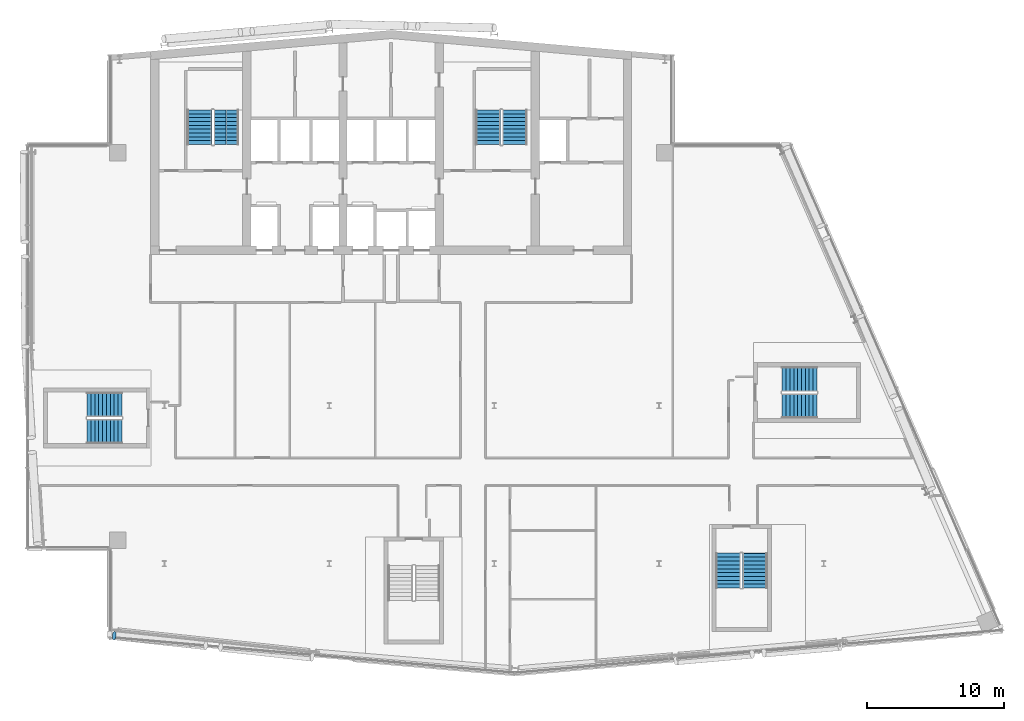
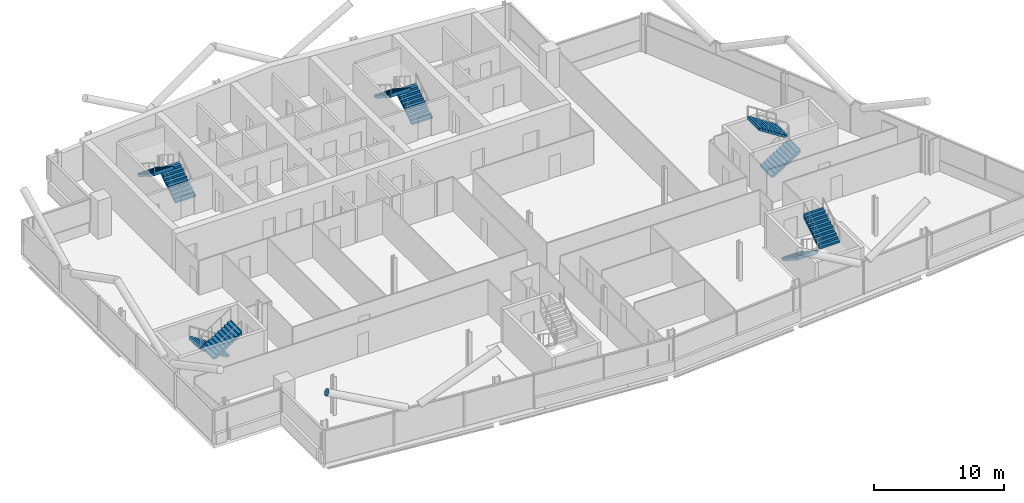
# One storey, part 19 of 26: 10 stair flights, 1 discrete accessory, 5 elements without a shape of their own.
"""IFC4 building model written with IfcOpenShell, lengths in metres."""

from ifc_helpers import new_model, si_unit, direction, frame, origin, origin_2d, place, context, subcontext, project, spatial, polyline, circle, outline, extrude, material, material_profile, profile_set, type_object, element, aggregate, save


model = new_model("IFC4")

# Units and contexts
model_context = context("Model", 3, precision=1e-05, world=origin(), true_north=direction((0.0, 1.0)))
body_context = subcontext(model_context, "Body", "Model", "MODEL_VIEW")
ifc_project = project(units=[si_unit("LENGTHUNIT", "METRE"), si_unit("AREAUNIT", "SQUARE_METRE"), si_unit("VOLUMEUNIT", "CUBIC_METRE"), si_unit("PLANEANGLEUNIT", "RADIAN"), si_unit("MASSUNIT", "GRAM", prefix="KILO")], contexts=[model_context])

# Site, building, storey
site_placement = place(None, origin())
site = spatial("IfcSite", under=ifc_project, at=site_placement, CompositionType="ELEMENT")
building_placement = place(site_placement, origin())
building = spatial("IfcBuilding", under=site, at=building_placement, Name="Wharfspan Tower", CompositionType="ELEMENT")
storey_placement = place(building_placement, frame((0.0, 0.0, 214.300049)))
storey = spatial("IfcBuildingStorey", under=building, at=storey_placement, Name="L53", CompositionType="ELEMENT", Elevation=214.300049)

# Stair, stair flights
ifc_material_1 = material(Name="Concrete C40/50", Category="concrete")
stair_type = type_object("IfcStairType", Name="Half-turn stair 20 risers 180 mm", PredefinedType="HALF_TURN_STAIR", material=ifc_material_1)
stair_1_placement = place(storey_placement, origin())
stair_1 = element("IfcStair", 1, at=stair_1_placement, inside=storey, type_object=stair_type, Name="L53 stair ST1", PredefinedType="HALF_TURN_STAIR")
stair_flight_type = type_object("IfcStairFlightType", Name="Stair flight 20 risers 180 mm", PredefinedType="STRAIGHT", material=ifc_material_1)
stair_flight_1_placement = place(storey_placement, frame((28.5, 42.0, 0.0), z_axis=(0.0, 0.0, 1.0), x_axis=(0.0, 1.0, 0.0)))
stair_flight_1 = element("IfcStairFlight", 2, at=stair_flight_1_placement, type_object=stair_flight_type, Name="ST1 flight 1", NumberOfRisers=10, NumberOfTreads=9, PredefinedType="STRAIGHT", RiserHeight=0.18, TreadLength=0.28, context=body_context, shape_type="SweptSolid", body=[
    extrude(outline(polyline([(-0.011963, 0.0), (-0.011963, 0.179932), (0.0, 0.179932), (0.280029, 0.179932), (0.280029, 0.360107), (0.560059, 0.360107), (0.560059, 0.540039), (0.840088, 0.540039), (0.840088, 0.719971), (1.120117, 0.719971), (1.120117, 0.899902), (1.399902, 0.899902), (1.399902, 1.080078), (1.679932, 1.080078), (1.679932, 1.26001), (1.959961, 1.26001), (1.959961, 1.439941), (2.23999, 1.439941), (2.23999, 1.620117), (2.52002, 1.620117), (2.531982, 1.800049), (2.531982, 1.441895), (0.2771, 0.0), (-0.011963, 0.0)])), frame((0.0, 0.899902, 0.0), z_axis=(0.0, -1.0, 0.0), x_axis=(1.0, 0.0, 0.0)), (0.0, 0.0, 1.0), 0.899414),
    extrude(outline(polyline([(-0.011963, 0.0), (-0.011963, 0.179932), (0.0, 0.179932), (0.280029, 0.179932), (0.280029, 0.360107), (0.560059, 0.360107), (0.560059, 0.540039), (0.840088, 0.540039), (0.840088, 0.719971), (1.120117, 0.719971), (1.120117, 0.899902), (1.399902, 0.899902), (1.399902, 1.080078), (1.679932, 1.080078), (1.679932, 1.26001), (1.959961, 1.26001), (1.959961, 1.439941), (2.23999, 1.439941), (2.23999, 1.620117), (2.52002, 1.620117), (2.531982, 1.800049), (2.531982, 1.441895), (0.2771, 0.0), (-0.011963, 0.0)])), frame((0.0, -0.000488, 0.0), z_axis=(0.0, -1.0, 0.0), x_axis=(1.0, 0.0, 0.0)), (0.0, 0.0, 1.0), 0.899414),
])
stair_flight_2_placement = place(storey_placement, frame((26.550049, 44.52002, 1.800049), z_axis=(0.0, 0.0, 1.0), x_axis=(0.0, -1.0, 0.0)))
stair_flight_2 = element("IfcStairFlight", 3, at=stair_flight_2_placement, type_object=stair_flight_type, Name="ST1 flight 2", NumberOfRisers=10, NumberOfTreads=9, PredefinedType="STRAIGHT", RiserHeight=0.18, TreadLength=0.28, context=body_context, shape_type="SweptSolid", body=[
    extrude(outline(polyline([(-0.011963, 0.0), (-0.011963, 0.179932), (0.0, 0.179932), (0.280029, 0.179932), (0.280029, 0.360107), (0.560059, 0.360107), (0.560059, 0.540039), (0.840088, 0.540039), (0.840088, 0.719971), (1.120117, 0.719971), (1.120117, 0.899902), (1.399902, 0.899902), (1.399902, 1.080078), (1.679932, 1.080078), (1.679932, 1.26001), (1.959961, 1.26001), (1.959961, 1.439941), (2.23999, 1.439941), (2.23999, 1.620117), (2.52002, 1.620117), (2.531982, 1.800049), (2.531982, 1.441895), (0.2771, 0.0), (-0.011963, 0.0)])), frame((0.0, 0.899902, 0.0), z_axis=(0.0, -1.0, 0.0), x_axis=(1.0, 0.0, 0.0)), (0.0, 0.0, 1.0), 0.899414),
    extrude(outline(polyline([(-0.011963, 0.0), (-0.011963, 0.179932), (0.0, 0.179932), (0.280029, 0.179932), (0.280029, 0.360107), (0.560059, 0.360107), (0.560059, 0.540039), (0.840088, 0.540039), (0.840088, 0.719971), (1.120117, 0.719971), (1.120117, 0.899902), (1.399902, 0.899902), (1.399902, 1.080078), (1.679932, 1.080078), (1.679932, 1.26001), (1.959961, 1.26001), (1.959961, 1.439941), (2.23999, 1.439941), (2.23999, 1.620117), (2.52002, 1.620117), (2.531982, 1.800049), (2.531982, 1.441895), (0.2771, 0.0), (-0.011963, 0.0)])), frame((0.0, -0.000488, 0.0), z_axis=(0.0, -1.0, 0.0), x_axis=(1.0, 0.0, 0.0)), (0.0, 0.0, 1.0), 0.899414),
])
aggregate(stair_1, [stair_flight_1, stair_flight_2])

stair_2_placement = place(storey_placement, origin())
stair_2 = element("IfcStair", 4, at=stair_2_placement, inside=storey, type_object=stair_type, Name="L53 stair ST2", PredefinedType="HALF_TURN_STAIR")
stair_flight_3_placement = place(storey_placement, frame((49.5, 42.0, 0.0), z_axis=(0.0, 0.0, 1.0), x_axis=(0.0, 1.0, 0.0)))
stair_flight_3 = element("IfcStairFlight", 5, at=stair_flight_3_placement, type_object=stair_flight_type, Name="ST2 flight 1", NumberOfRisers=10, NumberOfTreads=9, PredefinedType="STRAIGHT", RiserHeight=0.18, TreadLength=0.28, context=body_context, shape_type="SweptSolid", body=[
    extrude(outline(polyline([(-0.011963, 0.0), (-0.011963, 0.179932), (0.0, 0.179932), (0.280029, 0.179932), (0.280029, 0.360107), (0.560059, 0.360107), (0.560059, 0.540039), (0.840088, 0.540039), (0.840088, 0.719971), (1.120117, 0.719971), (1.120117, 0.899902), (1.399902, 0.899902), (1.399902, 1.080078), (1.679932, 1.080078), (1.679932, 1.26001), (1.959961, 1.26001), (1.959961, 1.439941), (2.23999, 1.439941), (2.23999, 1.620117), (2.52002, 1.620117), (2.531982, 1.800049), (2.531982, 1.441895), (0.2771, 0.0), (-0.011963, 0.0)])), frame((0.0, 0.899902, 0.0), z_axis=(0.0, -1.0, 0.0), x_axis=(1.0, 0.0, 0.0)), (0.0, 0.0, 1.0), 0.899414),
    extrude(outline(polyline([(-0.011963, 0.0), (-0.011963, 0.179932), (0.0, 0.179932), (0.280029, 0.179932), (0.280029, 0.360107), (0.560059, 0.360107), (0.560059, 0.540039), (0.840088, 0.540039), (0.840088, 0.719971), (1.120117, 0.719971), (1.120117, 0.899902), (1.399902, 0.899902), (1.399902, 1.080078), (1.679932, 1.080078), (1.679932, 1.26001), (1.959961, 1.26001), (1.959961, 1.439941), (2.23999, 1.439941), (2.23999, 1.620117), (2.52002, 1.620117), (2.531982, 1.800049), (2.531982, 1.441895), (0.2771, 0.0), (-0.011963, 0.0)])), frame((0.0, -0.000488, 0.0), z_axis=(0.0, -1.0, 0.0), x_axis=(1.0, 0.0, 0.0)), (0.0, 0.0, 1.0), 0.899414),
])
stair_flight_4_placement = place(storey_placement, frame((47.550049, 44.52002, 1.800049), z_axis=(0.0, 0.0, 1.0), x_axis=(0.0, -1.0, 0.0)))
stair_flight_4 = element("IfcStairFlight", 6, at=stair_flight_4_placement, type_object=stair_flight_type, Name="ST2 flight 2", NumberOfRisers=10, NumberOfTreads=9, PredefinedType="STRAIGHT", RiserHeight=0.18, TreadLength=0.28, context=body_context, shape_type="SweptSolid", body=[
    extrude(outline(polyline([(-0.011963, 0.0), (-0.011963, 0.179932), (0.0, 0.179932), (0.280029, 0.179932), (0.280029, 0.360107), (0.560059, 0.360107), (0.560059, 0.540039), (0.840088, 0.540039), (0.840088, 0.719971), (1.120117, 0.719971), (1.120117, 0.899902), (1.399902, 0.899902), (1.399902, 1.080078), (1.679932, 1.080078), (1.679932, 1.26001), (1.959961, 1.26001), (1.959961, 1.439941), (2.23999, 1.439941), (2.23999, 1.620117), (2.52002, 1.620117), (2.531982, 1.800049), (2.531982, 1.441895), (0.2771, 0.0), (-0.011963, 0.0)])), frame((0.0, 0.899902, 0.0), z_axis=(0.0, -1.0, 0.0), x_axis=(1.0, 0.0, 0.0)), (0.0, 0.0, 1.0), 0.899414),
    extrude(outline(polyline([(-0.011963, 0.0), (-0.011963, 0.179932), (0.0, 0.179932), (0.280029, 0.179932), (0.280029, 0.360107), (0.560059, 0.360107), (0.560059, 0.540039), (0.840088, 0.540039), (0.840088, 0.719971), (1.120117, 0.719971), (1.120117, 0.899902), (1.399902, 0.899902), (1.399902, 1.080078), (1.679932, 1.080078), (1.679932, 1.26001), (1.959961, 1.26001), (1.959961, 1.439941), (2.23999, 1.439941), (2.23999, 1.620117), (2.52002, 1.620117), (2.531982, 1.800049), (2.531982, 1.441895), (0.2771, 0.0), (-0.011963, 0.0)])), frame((0.0, -0.000488, 0.0), z_axis=(0.0, -1.0, 0.0), x_axis=(1.0, 0.0, 0.0)), (0.0, 0.0, 1.0), 0.899414),
])
aggregate(stair_2, [stair_flight_3, stair_flight_4])

stair_3_placement = place(storey_placement, origin())
stair_3 = element("IfcStair", 7, at=stair_3_placement, inside=storey, type_object=stair_type, Name="L53 stair ST3", PredefinedType="HALF_TURN_STAIR")
stair_flight_5_placement = place(storey_placement, frame((20.899902, 23.074951, 0.0), z_axis=(0.0, 0.0, 1.0), x_axis=(-1.0, 0.0, 0.0)))
stair_flight_5 = element("IfcStairFlight", 8, at=stair_flight_5_placement, type_object=stair_flight_type, Name="ST3 flight 1", NumberOfRisers=10, NumberOfTreads=9, PredefinedType="STRAIGHT", RiserHeight=0.18, TreadLength=0.28, context=body_context, shape_type="SweptSolid", body=[
    extrude(outline(polyline([(-0.011963, 0.0), (-0.011963, 0.179932), (0.0, 0.179932), (0.280029, 0.179932), (0.280029, 0.360107), (0.560059, 0.360107), (0.560059, 0.540039), (0.840088, 0.540039), (0.840088, 0.719971), (1.120117, 0.719971), (1.120117, 0.899902), (1.399902, 0.899902), (1.399902, 1.080078), (1.679932, 1.080078), (1.679932, 1.26001), (1.959961, 1.26001), (1.959961, 1.439941), (2.23999, 1.439941), (2.23999, 1.620117), (2.52002, 1.620117), (2.531982, 1.800049), (2.531982, 1.441895), (0.2771, 0.0), (-0.011963, 0.0)])), frame((0.0, 0.899902, 0.0), z_axis=(0.0, -1.0, 0.0), x_axis=(1.0, 0.0, 0.0)), (0.0, 0.0, 1.0), 0.899414),
    extrude(outline(polyline([(-0.011963, 0.0), (-0.011963, 0.179932), (0.0, 0.179932), (0.280029, 0.179932), (0.280029, 0.360107), (0.560059, 0.360107), (0.560059, 0.540039), (0.840088, 0.540039), (0.840088, 0.719971), (1.120117, 0.719971), (1.120117, 0.899902), (1.399902, 0.899902), (1.399902, 1.080078), (1.679932, 1.080078), (1.679932, 1.26001), (1.959961, 1.26001), (1.959961, 1.439941), (2.23999, 1.439941), (2.23999, 1.620117), (2.52002, 1.620117), (2.531982, 1.800049), (2.531982, 1.441895), (0.2771, 0.0), (-0.011963, 0.0)])), frame((0.0, -0.000488, 0.0), z_axis=(0.0, -1.0, 0.0), x_axis=(1.0, 0.0, 0.0)), (0.0, 0.0, 1.0), 0.899414),
])
stair_flight_6_placement = place(storey_placement, frame((18.379883, 21.125, 1.800049), z_axis=(0.0, 0.0, 1.0), x_axis=(1.0, 0.0, 0.0)))
stair_flight_6 = element("IfcStairFlight", 9, at=stair_flight_6_placement, type_object=stair_flight_type, Name="ST3 flight 2", NumberOfRisers=10, NumberOfTreads=9, PredefinedType="STRAIGHT", RiserHeight=0.18, TreadLength=0.28, context=body_context, shape_type="SweptSolid", body=[
    extrude(outline(polyline([(-0.011963, 0.0), (-0.011963, 0.179932), (0.0, 0.179932), (0.280029, 0.179932), (0.280029, 0.360107), (0.560059, 0.360107), (0.560059, 0.540039), (0.840088, 0.540039), (0.840088, 0.719971), (1.120117, 0.719971), (1.120117, 0.899902), (1.399902, 0.899902), (1.399902, 1.080078), (1.679932, 1.080078), (1.679932, 1.26001), (1.959961, 1.26001), (1.959961, 1.439941), (2.23999, 1.439941), (2.23999, 1.620117), (2.52002, 1.620117), (2.531982, 1.800049), (2.531982, 1.441895), (0.2771, 0.0), (-0.011963, 0.0)])), frame((0.0, 0.899902, 0.0), z_axis=(0.0, -1.0, 0.0), x_axis=(1.0, 0.0, 0.0)), (0.0, 0.0, 1.0), 0.899414),
    extrude(outline(polyline([(-0.011963, 0.0), (-0.011963, 0.179932), (0.0, 0.179932), (0.280029, 0.179932), (0.280029, 0.360107), (0.560059, 0.360107), (0.560059, 0.540039), (0.840088, 0.540039), (0.840088, 0.719971), (1.120117, 0.719971), (1.120117, 0.899902), (1.399902, 0.899902), (1.399902, 1.080078), (1.679932, 1.080078), (1.679932, 1.26001), (1.959961, 1.26001), (1.959961, 1.439941), (2.23999, 1.439941), (2.23999, 1.620117), (2.52002, 1.620117), (2.531982, 1.800049), (2.531982, 1.441895), (0.2771, 0.0), (-0.011963, 0.0)])), frame((0.0, -0.000488, 0.0), z_axis=(0.0, -1.0, 0.0), x_axis=(1.0, 0.0, 0.0)), (0.0, 0.0, 1.0), 0.899414),
])
aggregate(stair_3, [stair_flight_5, stair_flight_6])

stair_4_placement = place(storey_placement, origin())
stair_4 = element("IfcStair", 10, at=stair_4_placement, inside=storey, type_object=stair_type, Name="L53 stair ST5", PredefinedType="HALF_TURN_STAIR")
stair_flight_7_placement = place(storey_placement, frame((65.043701, 12.246094, 0.0), z_axis=(0.0, 0.0, 1.0), x_axis=(0.0, -1.0, 0.0)))
stair_flight_7 = element("IfcStairFlight", 11, at=stair_flight_7_placement, type_object=stair_flight_type, Name="ST5 flight 1", NumberOfRisers=10, NumberOfTreads=9, PredefinedType="STRAIGHT", RiserHeight=0.18, TreadLength=0.28, context=body_context, shape_type="SweptSolid", body=[
    extrude(outline(polyline([(-0.011963, 0.0), (-0.011963, 0.179932), (0.0, 0.179932), (0.280029, 0.179932), (0.280029, 0.360107), (0.560059, 0.360107), (0.560059, 0.540039), (0.840088, 0.540039), (0.840088, 0.719971), (1.120117, 0.719971), (1.120117, 0.899902), (1.399902, 0.899902), (1.399902, 1.080078), (1.679932, 1.080078), (1.679932, 1.26001), (1.959961, 1.26001), (1.959961, 1.439941), (2.23999, 1.439941), (2.23999, 1.620117), (2.52002, 1.620117), (2.531982, 1.800049), (2.531982, 1.441895), (0.2771, 0.0), (-0.011963, 0.0)])), frame((0.0, 0.899902, 0.0), z_axis=(0.0, -1.0, 0.0), x_axis=(1.0, 0.0, 0.0)), (0.0, 0.0, 1.0), 0.899414),
    extrude(outline(polyline([(-0.011963, 0.0), (-0.011963, 0.179932), (0.0, 0.179932), (0.280029, 0.179932), (0.280029, 0.360107), (0.560059, 0.360107), (0.560059, 0.540039), (0.840088, 0.540039), (0.840088, 0.719971), (1.120117, 0.719971), (1.120117, 0.899902), (1.399902, 0.899902), (1.399902, 1.080078), (1.679932, 1.080078), (1.679932, 1.26001), (1.959961, 1.26001), (1.959961, 1.439941), (2.23999, 1.439941), (2.23999, 1.620117), (2.52002, 1.620117), (2.531982, 1.800049), (2.531982, 1.441895), (0.2771, 0.0), (-0.011963, 0.0)])), frame((0.0, -0.000488, 0.0), z_axis=(0.0, -1.0, 0.0), x_axis=(1.0, 0.0, 0.0)), (0.0, 0.0, 1.0), 0.899414),
])
stair_flight_8_placement = place(storey_placement, frame((66.993896, 9.726074, 1.800049), z_axis=(0.0, 0.0, 1.0), x_axis=(0.0, 1.0, 0.0)))
stair_flight_8 = element("IfcStairFlight", 12, at=stair_flight_8_placement, type_object=stair_flight_type, Name="ST5 flight 2", NumberOfRisers=10, NumberOfTreads=9, PredefinedType="STRAIGHT", RiserHeight=0.18, TreadLength=0.28, context=body_context, shape_type="SweptSolid", body=[
    extrude(outline(polyline([(-0.011963, 0.0), (-0.011963, 0.179932), (0.0, 0.179932), (0.280029, 0.179932), (0.280029, 0.360107), (0.560059, 0.360107), (0.560059, 0.540039), (0.840088, 0.540039), (0.840088, 0.719971), (1.120117, 0.719971), (1.120117, 0.899902), (1.399902, 0.899902), (1.399902, 1.080078), (1.679932, 1.080078), (1.679932, 1.26001), (1.959961, 1.26001), (1.959961, 1.439941), (2.23999, 1.439941), (2.23999, 1.620117), (2.52002, 1.620117), (2.531982, 1.800049), (2.531982, 1.441895), (0.2771, 0.0), (-0.011963, 0.0)])), frame((0.0, 0.899902, 0.0), z_axis=(0.0, -1.0, 0.0), x_axis=(1.0, 0.0, 0.0)), (0.0, 0.0, 1.0), 0.899414),
    extrude(outline(polyline([(-0.011963, 0.0), (-0.011963, 0.179932), (0.0, 0.179932), (0.280029, 0.179932), (0.280029, 0.360107), (0.560059, 0.360107), (0.560059, 0.540039), (0.840088, 0.540039), (0.840088, 0.719971), (1.120117, 0.719971), (1.120117, 0.899902), (1.399902, 0.899902), (1.399902, 1.080078), (1.679932, 1.080078), (1.679932, 1.26001), (1.959961, 1.26001), (1.959961, 1.439941), (2.23999, 1.439941), (2.23999, 1.620117), (2.52002, 1.620117), (2.531982, 1.800049), (2.531982, 1.441895), (0.2771, 0.0), (-0.011963, 0.0)])), frame((0.0, -0.000488, 0.0), z_axis=(0.0, -1.0, 0.0), x_axis=(1.0, 0.0, 0.0)), (0.0, 0.0, 1.0), 0.899414),
])
aggregate(stair_4, [stair_flight_7, stair_flight_8])

stair_5_placement = place(storey_placement, origin())
stair_5 = element("IfcStair", 13, at=stair_5_placement, inside=storey, type_object=stair_type, Name="L53 stair ST6", PredefinedType="HALF_TURN_STAIR")
stair_flight_9_placement = place(storey_placement, frame((68.969482, 22.975098, 0.0), z_axis=(0.0, 0.0, 1.0), x_axis=(1.0, 0.0, 0.0)))
stair_flight_9 = element("IfcStairFlight", 14, at=stair_flight_9_placement, type_object=stair_flight_type, Name="ST6 flight 1", NumberOfRisers=10, NumberOfTreads=9, PredefinedType="STRAIGHT", RiserHeight=0.18, TreadLength=0.28, context=body_context, shape_type="SweptSolid", body=[
    extrude(outline(polyline([(-0.011963, 0.0), (-0.011963, 0.179932), (0.0, 0.179932), (0.280029, 0.179932), (0.280029, 0.360107), (0.560059, 0.360107), (0.560059, 0.540039), (0.840088, 0.540039), (0.840088, 0.719971), (1.120117, 0.719971), (1.120117, 0.899902), (1.399902, 0.899902), (1.399902, 1.080078), (1.679932, 1.080078), (1.679932, 1.26001), (1.959961, 1.26001), (1.959961, 1.439941), (2.23999, 1.439941), (2.23999, 1.620117), (2.52002, 1.620117), (2.531982, 1.800049), (2.531982, 1.441895), (0.2771, 0.0), (-0.011963, 0.0)])), frame((0.0, 0.899902, 0.0), z_axis=(0.0, -1.0, 0.0), x_axis=(1.0, 0.0, 0.0)), (0.0, 0.0, 1.0), 0.899414),
    extrude(outline(polyline([(-0.011963, 0.0), (-0.011963, 0.179932), (0.0, 0.179932), (0.280029, 0.179932), (0.280029, 0.360107), (0.560059, 0.360107), (0.560059, 0.540039), (0.840088, 0.540039), (0.840088, 0.719971), (1.120117, 0.719971), (1.120117, 0.899902), (1.399902, 0.899902), (1.399902, 1.080078), (1.679932, 1.080078), (1.679932, 1.26001), (1.959961, 1.26001), (1.959961, 1.439941), (2.23999, 1.439941), (2.23999, 1.620117), (2.52002, 1.620117), (2.531982, 1.800049), (2.531982, 1.441895), (0.2771, 0.0), (-0.011963, 0.0)])), frame((0.0, -0.000488, 0.0), z_axis=(0.0, -1.0, 0.0), x_axis=(1.0, 0.0, 0.0)), (0.0, 0.0, 1.0), 0.899414),
])
stair_flight_10_placement = place(storey_placement, frame((71.489502, 24.925049, 1.800049), z_axis=(0.0, 0.0, 1.0), x_axis=(-1.0, 0.0, 0.0)))
stair_flight_10 = element("IfcStairFlight", 15, at=stair_flight_10_placement, type_object=stair_flight_type, Name="ST6 flight 2", NumberOfRisers=10, NumberOfTreads=9, PredefinedType="STRAIGHT", RiserHeight=0.18, TreadLength=0.28, context=body_context, shape_type="SweptSolid", body=[
    extrude(outline(polyline([(-0.011963, 0.0), (-0.011963, 0.179932), (0.0, 0.179932), (0.280029, 0.179932), (0.280029, 0.360107), (0.560059, 0.360107), (0.560059, 0.540039), (0.840088, 0.540039), (0.840088, 0.719971), (1.120117, 0.719971), (1.120117, 0.899902), (1.399902, 0.899902), (1.399902, 1.080078), (1.679932, 1.080078), (1.679932, 1.26001), (1.959961, 1.26001), (1.959961, 1.439941), (2.23999, 1.439941), (2.23999, 1.620117), (2.52002, 1.620117), (2.531982, 1.800049), (2.531982, 1.441895), (0.2771, 0.0), (-0.011963, 0.0)])), frame((0.0, 0.899902, 0.0), z_axis=(0.0, -1.0, 0.0), x_axis=(1.0, 0.0, 0.0)), (0.0, 0.0, 1.0), 0.899414),
    extrude(outline(polyline([(-0.011963, 0.0), (-0.011963, 0.179932), (0.0, 0.179932), (0.280029, 0.179932), (0.280029, 0.360107), (0.560059, 0.360107), (0.560059, 0.540039), (0.840088, 0.540039), (0.840088, 0.719971), (1.120117, 0.719971), (1.120117, 0.899902), (1.399902, 0.899902), (1.399902, 1.080078), (1.679932, 1.080078), (1.679932, 1.26001), (1.959961, 1.26001), (1.959961, 1.439941), (2.23999, 1.439941), (2.23999, 1.620117), (2.52002, 1.620117), (2.531982, 1.800049), (2.531982, 1.441895), (0.2771, 0.0), (-0.011963, 0.0)])), frame((0.0, -0.000488, 0.0), z_axis=(0.0, -1.0, 0.0), x_axis=(1.0, 0.0, 0.0)), (0.0, 0.0, 1.0), 0.899414),
])
aggregate(stair_5, [stair_flight_9, stair_flight_10])

# Discrete accessory
ifc_material_2 = material(Name="Steel S460NH", Category="steel")
ifc_material_profile = material_profile(ifc_material_2, circle(Radius=0.304932, at=origin_2d()))
ifc_profile_set = profile_set([ifc_material_profile], Name="Steel S460NH")
discrete_accessory_type = type_object("IfcDiscreteAccessoryType", Name="End plate CHS 610x25", PredefinedType="BRACKET", material=ifc_profile_set)
discrete_accessory_placement = place(storey_placement, frame((20.352539, 6.249268, 6.5), z_axis=(-0.890043, 0.098894, 0.445021), x_axis=(-0.110431, -0.99388, 1e-06)))
element("IfcDiscreteAccessory", 16, at=discrete_accessory_placement, inside=storey, type_object=discrete_accessory_type, Name="End plate CHS 610x25", PredefinedType="BRACKET", context=body_context, shape_type="SweptSolid", body=[
    extrude(circle(Radius=0.304932, at=origin_2d()), origin(), (0.0, 0.0, 1.0), 0.009766),
])

save(model, "model.ifc")
